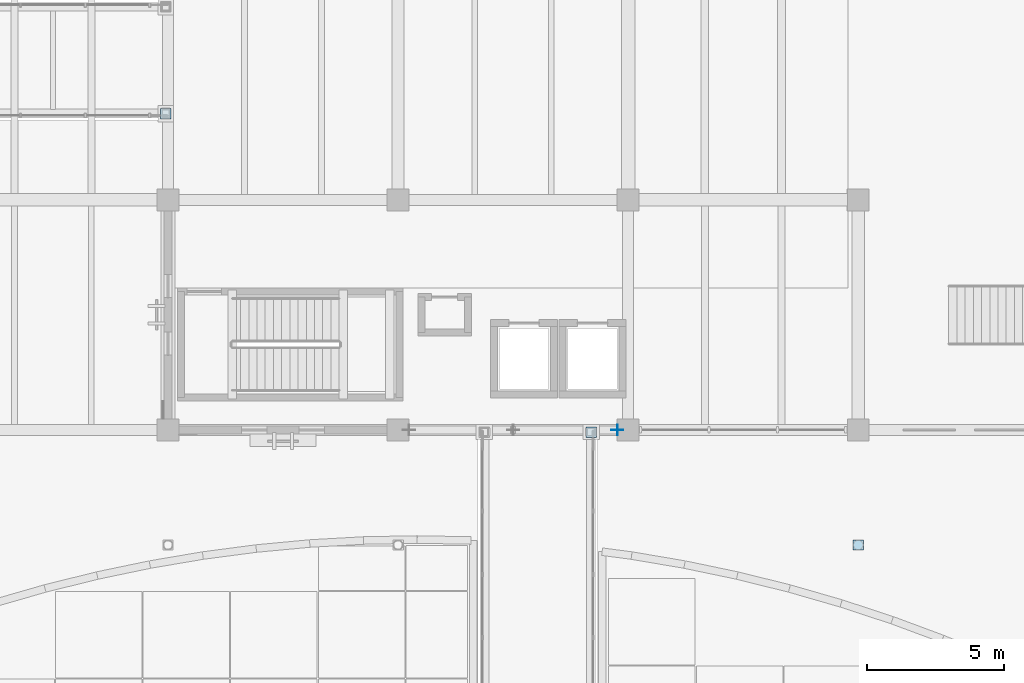
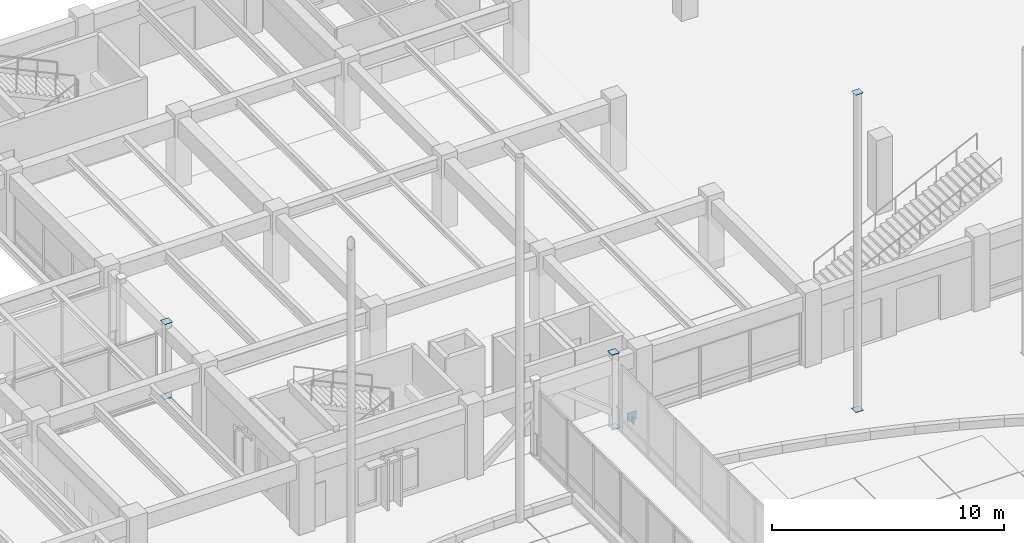
# One storey, part 79 of 135: 8 plates.
"""IFC4 building model written with IfcOpenShell, lengths in metres."""

from ifc_helpers import new_model, si_unit, direction, frame, origin, origin_2d, place, context, subcontext, project, spatial, rectangle, extrude, material, layer, layer_set, type_object, element, save


model = new_model("IFC4")

# Units and contexts
model_context = context("Model", 3, precision=1e-05, world=origin(), true_north=direction((0.0, 1.0)))
body_context = subcontext(model_context, "Body", "Model", "MODEL_VIEW")
ifc_project = project(units=[si_unit("LENGTHUNIT", "METRE"), si_unit("AREAUNIT", "SQUARE_METRE"), si_unit("VOLUMEUNIT", "CUBIC_METRE"), si_unit("PLANEANGLEUNIT", "RADIAN"), si_unit("MASSUNIT", "GRAM", prefix="KILO")], contexts=[model_context])

# Site, building, storey
site_placement = place(None, origin())
site = spatial("IfcSite", under=ifc_project, at=site_placement, CompositionType="ELEMENT")
building_placement = place(site_placement, origin())
building = spatial("IfcBuilding", under=site, at=building_placement, Name="Cumbredor Promenade Congress Hotel", CompositionType="ELEMENT")
storey_placement = place(building_placement, origin())
storey = spatial("IfcBuildingStorey", under=building, at=storey_placement, Name="L00", CompositionType="ELEMENT", Elevation=0.0)

# Plates
ifc_material = material(Name="Steel ASTM A572 Grade 50", Category="steel")
ifc_layer_1 = layer(ifc_material, 0.02001953125, Name="Steel ASTM A572 Grade 50", Category="steel")
ifc_layer_set_1 = layer_set([ifc_layer_1], Name="Steel ASTM A572 Grade 50")
plate_type_1 = type_object("IfcPlateType", Name="Hollow Section End Cap Plate CP-04", PredefinedType="USERDEFINED", material=ifc_layer_set_1)
plate_1_placement = place(storey_placement, frame((108.80615234375, 84.0, -0.19482421875), z_axis=(0.0, 0.0, 1.0), x_axis=(-1.0, 0.0, 0.0)))
element("IfcPlate", 1, at=plate_1_placement, inside=storey, type_object=plate_type_1, Name="L00 Chevron Seismic Brace 12B Start Cap Plate", ObjectType="CAP PLATE", PredefinedType="USERDEFINED", context=body_context, shape_type="SweptSolid", body=[
    extrude(rectangle(XDim=0.02001953125, YDim=0.3798828125, at=origin_2d()), origin(), (0.0, 0.0, 1.0), 0.3798828125),
])
for number, where, z_axis, x_axis, name in (
    (2, (117.60009765625, 79.800048828125, -0.01806640625), (0.0, 0.0, 1.0), (1.0, 0.0, 0.0), "Pre-Function and Breakout Meeting Forum Slim Overhang Pavilion Column 03 Start Cap Plate"),
    (3, (117.60009765625, 79.800048828125, 16.677978515625), (0.0, 0.0, 1.0), (1.0, 0.0, 0.0), "Pre-Function and Breakout Meeting Forum Slim Overhang Pavilion Column 03 End Cap Plate"),
    (4, (107.85009765625, 83.919921875, -0.01806640625), (0.0, 0.0, 1.0), (1.0, 0.0, 0.0), "L00 Central Reflecting-Pool Promenade Bridge Support Column 4 Start Cap Plate"),
    (5, (107.85009765625, 83.919921875, 3.91796875), (0.0, 0.0, 1.0), (1.0, 0.0, 0.0), "L00 Central Reflecting-Pool Promenade Bridge Support Column 4 End Cap Plate"),
    (6, (92.320068359375, 95.550048828125, -0.01806640625), (0.0, 0.0, 1.0), (1.0, 0.0, 0.0), "L00 North Hotel-to-Forum Glazed Bridge Support Column 3 Start Cap Plate"),
    (7, (92.320068359375, 95.550048828125, 3.91796875), (0.0, 0.0, 1.0), (1.0, 0.0, 0.0), "L00 North Hotel-to-Forum Glazed Bridge Support Column 3 End Cap Plate"),
):
    element("IfcPlate", number, at=place(storey_placement, frame(where, z_axis=z_axis, x_axis=x_axis)), inside=storey, type_object=plate_type_1, Name=name, ObjectType="CAP PLATE", PredefinedType="USERDEFINED", context=body_context, shape_type="SweptSolid", body=[
        extrude(rectangle(XDim=0.3798828125, YDim=0.3798828125, at=origin_2d()), origin(), (0.0, 0.0, 1.0), 0.02001953125),
    ])
ifc_layer_2 = layer(ifc_material, 0.028076171875, Name="Steel ASTM A572 Grade 50", Category="steel")
ifc_layer_set_2 = layer_set([ifc_layer_2], Name="Steel ASTM A572 Grade 50")
plate_type_2 = type_object("IfcPlateType", Name="Space Frame Node Assembly ND-03", PredefinedType="USERDEFINED", material=ifc_layer_set_2)
plate_2_placement = place(storey_placement, frame((108.800048828125, 84.0, -0.0400390625), z_axis=(0.0, 0.0, 1.0), x_axis=(1.0, 0.0, 0.0)))
element("IfcPlate", 8, at=plate_2_placement, inside=storey, type_object=plate_type_2, Name="L00 Seismic Frame Gusset Plate 12-BR", ObjectType="GUSSET PLATE", PredefinedType="USERDEFINED", context=body_context, shape_type="SweptSolid", body=[
    extrude(rectangle(XDim=0.43994140625, YDim=0.028076171875, at=origin_2d()), origin(), (0.0, 0.0, 1.0), 0.43994140625),
])

save(model, "model.ifc")
